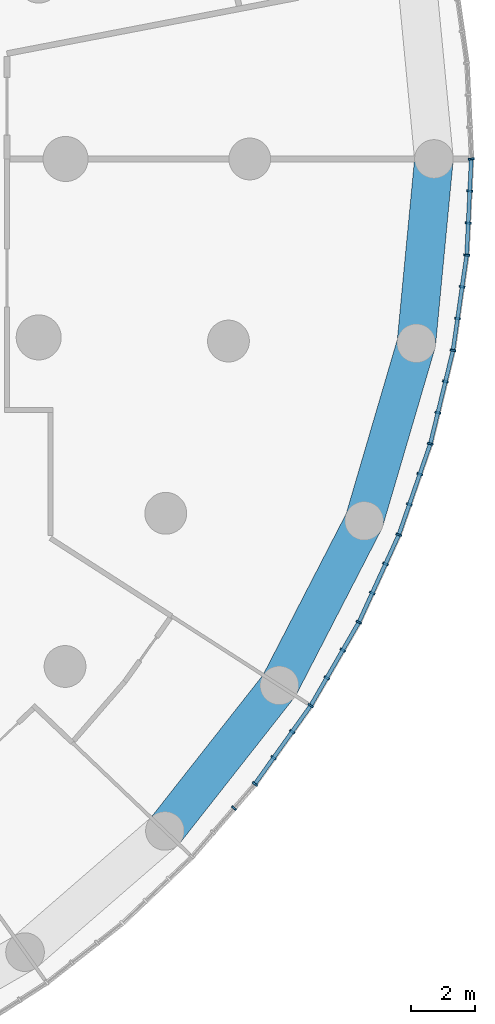
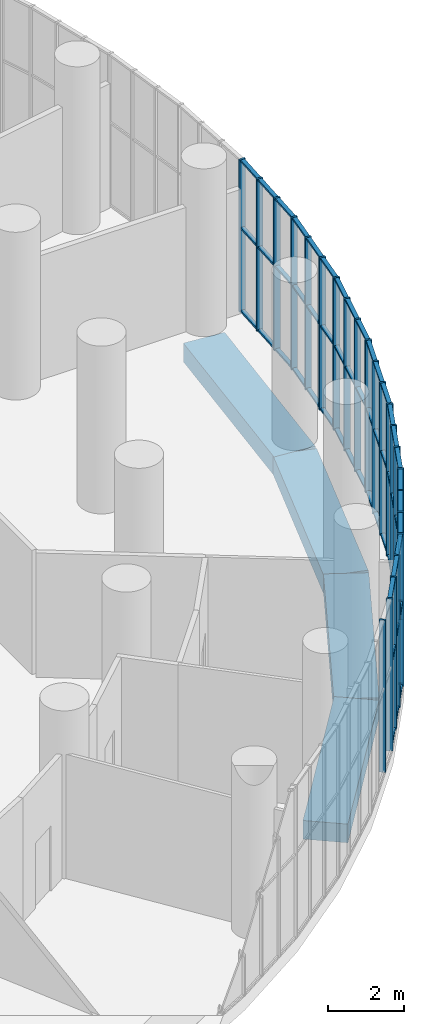
# One storey, part 6 of 27: 44 members, 4 beams, 9 elements without a shape of their own.
"""IFC4 building model written with IfcOpenShell, lengths in metres."""

from ifc_helpers import new_model, si_unit, direction, frame, origin, origin_2d, place, context, subcontext, project, spatial, rectangle, extrude, material, layer, layer_set, material_profile, profile_set, type_object, element, aggregate, save


model = new_model("IFC4")

# Units and contexts
model_context = context("Model", 3, precision=1e-05, world=origin(), true_north=direction((0.0, 1.0)))
body_context = subcontext(model_context, "Body", "Model", "MODEL_VIEW")
ifc_project = project(units=[si_unit("LENGTHUNIT", "METRE"), si_unit("AREAUNIT", "SQUARE_METRE"), si_unit("VOLUMEUNIT", "CUBIC_METRE"), si_unit("PLANEANGLEUNIT", "RADIAN"), si_unit("MASSUNIT", "GRAM", prefix="KILO")], contexts=[model_context])

# Site, building, storey
site_placement = place(None, origin())
site = spatial("IfcSite", under=ifc_project, at=site_placement, CompositionType="ELEMENT")
building_placement = place(site_placement, origin())
building = spatial("IfcBuilding", under=site, at=building_placement, Name="Tracery Tower", CompositionType="ELEMENT")
storey_placement = place(building_placement, frame((0.0, 0.0, 114.60009765625)))
storey = spatial("IfcBuildingStorey", under=building, at=storey_placement, Name="L29", CompositionType="ELEMENT", Elevation=114.60009765625)

# Beams
ifc_material_1 = material(Name="Concrete C60/75", Category="concrete")
ifc_material_profile_1 = material_profile(ifc_material_1, rectangle(XDim=1.199951171875, YDim=0.60009765625, at=origin_2d()), Name="RC 1200x600")
ifc_profile_set_1 = profile_set([ifc_material_profile_1], Name="Concrete C60/75")
beam_type = type_object("IfcBeamType", Name="Perimeter band beam 1200x600", PredefinedType="BEAM", material=ifc_profile_set_1)
beam_placement = place(storey_placement, frame((21.910888671875, -20.891845703125, -0.75), z_axis=(0.618134362257, 0.786072458618, 0.0), x_axis=(-0.786072458618, 0.618134362257, 0.0)))
element("IfcBeam", 1, at=beam_placement, inside=storey, type_object=beam_type, Name="Perimeter beam 0.29 under L29", PredefinedType="BEAM", context=body_context, shape_type="SweptSolid", body=[
    extrude(rectangle(XDim=1.199951171875, YDim=0.60009765625, at=origin_2d()), origin(), (0.0, 0.0, 1.0), 5.75537109375),
])
for number, where, z_axis, x_axis, name in (
    (2, (25.468505859375, -16.36767578125, -0.75), (0.458242010493, 0.88882746347, 0.0), (-0.88882746347, 0.458242010493, 0.0), "Perimeter beam 0.30 under L29"),
    (3, (28.10595703125, -11.251953125, -0.75), (0.281739145896, 0.959491038869, 0.0), (-0.959491038869, 0.281739145896, 0.0), "Perimeter beam 0.31 under L29"),
    (4, (29.7275390625, -5.7294921875, -0.75), (0.095059309677, 0.995471610667, 0.0), (-0.995471610667, 0.095059309677, 0.0), "Perimeter beam 0.32 under L29"),
):
    element("IfcBeam", number, at=place(storey_placement, frame(where, z_axis=z_axis, x_axis=x_axis)), inside=storey, type_object=beam_type, Name=name, PredefinedType="BEAM", context=body_context, shape_type="SweptSolid", body=[
        extrude(rectangle(XDim=1.199951171875, YDim=0.60009765625, at=origin_2d()), origin(), (0.0, 0.0, 1.0), 5.755615234375),
    ])

# Curtain wall, member
ifc_material_2 = material(Name="Aluminium curtain wall with tinted glass", Category="aluminium")
ifc_layer = layer(ifc_material_2, 0.179931640625)
ifc_layer_set = layer_set([ifc_layer], Name="Sky lounge 1 tracery curtain wall")
curtain_wall_type = type_object("IfcCurtainWallType", Name="Sky lounge 1 tracery curtain wall", PredefinedType="NOTDEFINED", material=ifc_layer_set)
curtain_wall_1_placement = place(storey_placement, origin())
curtain_wall_1 = element("IfcCurtainWall", 5, at=curtain_wall_1_placement, inside=storey, type_object=curtain_wall_type, Name="Sky lounge 1 curtain wall run 1", PredefinedType="NOTDEFINED")
ifc_material_3 = material(Name="Aluminium, bronze anodised", Category="aluminium")
ifc_material_profile_2 = material_profile(ifc_material_3, rectangle(XDim=0.179931640625, YDim=0.06005859375, at=origin_2d()), Name="AL 60x180")
ifc_profile_set_2 = profile_set([ifc_material_profile_2], Name="Aluminium, bronze anodised")
member_type_1 = type_object("IfcMemberType", Name="Sky lounge 1 mullion 60 x 180", PredefinedType="MULLION", material=ifc_profile_set_2)
member_1_placement = place(storey_placement, frame((31.4345703125, 0.0, 0.0), z_axis=(0.0, 0.0, 1.0), x_axis=(-0.998867339183, -0.047581915819, 0.0)))
member_1 = element("IfcMember", 6, at=member_1_placement, type_object=member_type_1, Name="Sky lounge 1 curtain wall run 1 mullion 1", PredefinedType="MULLION", context=body_context, shape_type="SweptSolid", body=[
    extrude(rectangle(XDim=0.179931640625, YDim=0.06005859375, at=origin_2d()), origin(), (0.0, 0.0, 1.0), 4.89990234375),
])
aggregate(curtain_wall_1, [member_1])

curtain_wall_2_placement = place(storey_placement, origin())
curtain_wall_2 = element("IfcCurtainWall", 7, at=curtain_wall_2_placement, inside=storey, type_object=curtain_wall_type, Name="Sky lounge 1 curtain wall run 59", PredefinedType="NOTDEFINED")
member_2_placement = place(storey_placement, frame((24.05615234375, -20.18505859375, 0.0), z_axis=(0.0, 0.0, 1.0), x_axis=(-0.755749574355, 0.654860733944, 0.0)))
member_2 = element("IfcMember", 8, at=member_2_placement, type_object=member_type_1, Name="Sky lounge 1 curtain wall run 59 mullion 3", PredefinedType="MULLION", context=body_context, shape_type="SweptSolid", body=[
    extrude(rectangle(XDim=0.179931640625, YDim=0.06005859375, at=origin_2d()), origin(), (0.0, 0.0, 1.0), 4.89990234375),
])
aggregate(curtain_wall_2, [member_2])

# Curtain wall, members
curtain_wall_3_placement = place(storey_placement, origin())
curtain_wall_3 = element("IfcCurtainWall", 9, at=curtain_wall_3_placement, inside=storey, type_object=curtain_wall_type, Name="Sky lounge 1 curtain wall run 60", PredefinedType="NOTDEFINED")
member_3_placement = place(storey_placement, frame((24.709228515625, -19.431396484375, 0.0), z_axis=(0.0, 0.0, 1.0), x_axis=(-0.814575952046, 0.580056909578, 0.0)))
member_3 = element("IfcMember", 10, at=member_3_placement, type_object=member_type_1, Name="Sky lounge 1 curtain wall run 60 mullion 1", PredefinedType="MULLION", context=body_context, shape_type="SweptSolid", body=[
    extrude(rectangle(XDim=0.179931640625, YDim=0.06005859375, at=origin_2d()), origin(), (0.0, 0.0, 1.0), 4.89990234375),
])
member_4_placement = place(storey_placement, frame((25.28759765625, -18.619384765625, 0.0), z_axis=(0.0, 0.0, 1.0), x_axis=(-0.814575952046, 0.580056909578, 0.0)))
member_4 = element("IfcMember", 11, at=member_4_placement, type_object=member_type_1, Name="Sky lounge 1 curtain wall run 60 mullion 2", PredefinedType="MULLION", context=body_context, shape_type="SweptSolid", body=[
    extrude(rectangle(XDim=0.179931640625, YDim=0.06005859375, at=origin_2d()), origin(), (0.0, 0.0, 1.0), 4.89990234375),
])
member_5_placement = place(storey_placement, frame((25.865966796875, -17.80712890625, 0.0), z_axis=(0.0, 0.0, 1.0), x_axis=(-0.814575952046, 0.580056909578, 0.0)))
member_5 = element("IfcMember", 12, at=member_5_placement, type_object=member_type_1, Name="Sky lounge 1 curtain wall run 60 mullion 3", PredefinedType="MULLION", context=body_context, shape_type="SweptSolid", body=[
    extrude(rectangle(XDim=0.179931640625, YDim=0.06005859375, at=origin_2d()), origin(), (0.0, 0.0, 1.0), 4.89990234375),
])

curtain_wall_4_placement = place(storey_placement, origin())
curtain_wall_4 = element("IfcCurtainWall", 13, at=curtain_wall_4_placement, inside=storey, type_object=curtain_wall_type, Name="Sky lounge 1 curtain wall run 61", PredefinedType="NOTDEFINED")
member_6_placement = place(storey_placement, frame((26.4443359375, -16.994873046875, 0.0), z_axis=(0.0, 0.0, 1.0), x_axis=(-0.866025403784, 0.5, 0.0)))
member_6 = element("IfcMember", 14, at=member_6_placement, type_object=member_type_1, Name="Sky lounge 1 curtain wall run 61 mullion 1", PredefinedType="MULLION", context=body_context, shape_type="SweptSolid", body=[
    extrude(rectangle(XDim=0.179931640625, YDim=0.06005859375, at=origin_2d()), origin(), (0.0, 0.0, 1.0), 4.89990234375),
])
member_7_placement = place(storey_placement, frame((26.94287109375, -16.131103515625, 0.0), z_axis=(0.0, 0.0, 1.0), x_axis=(-0.866025403784, 0.5, 0.0)))
member_7 = element("IfcMember", 15, at=member_7_placement, type_object=member_type_1, Name="Sky lounge 1 curtain wall run 61 mullion 2", PredefinedType="MULLION", context=body_context, shape_type="SweptSolid", body=[
    extrude(rectangle(XDim=0.179931640625, YDim=0.06005859375, at=origin_2d()), origin(), (0.0, 0.0, 1.0), 4.89990234375),
])
member_8_placement = place(storey_placement, frame((27.44140625, -15.267578125, 0.0), z_axis=(0.0, 0.0, 1.0), x_axis=(-0.866025403784, 0.5, 0.0)))
member_8 = element("IfcMember", 16, at=member_8_placement, type_object=member_type_1, Name="Sky lounge 1 curtain wall run 61 mullion 3", PredefinedType="MULLION", context=body_context, shape_type="SweptSolid", body=[
    extrude(rectangle(XDim=0.179931640625, YDim=0.06005859375, at=origin_2d()), origin(), (0.0, 0.0, 1.0), 4.89990234375),
])

curtain_wall_5_placement = place(storey_placement, origin())
curtain_wall_5 = element("IfcCurtainWall", 17, at=curtain_wall_5_placement, inside=storey, type_object=curtain_wall_type, Name="Sky lounge 1 curtain wall run 62", PredefinedType="NOTDEFINED")
member_9_placement = place(storey_placement, frame((27.940185546875, -14.404052734375, 0.0), z_axis=(0.0, 0.0, 1.0), x_axis=(-0.909631995358, 0.415415012995, 0.0)))
member_9 = element("IfcMember", 18, at=member_9_placement, type_object=member_type_1, Name="Sky lounge 1 curtain wall run 62 mullion 1", PredefinedType="MULLION", context=body_context, shape_type="SweptSolid", body=[
    extrude(rectangle(XDim=0.179931640625, YDim=0.06005859375, at=origin_2d()), origin(), (0.0, 0.0, 1.0), 4.89990234375),
])
member_10_placement = place(storey_placement, frame((28.354248046875, -13.4970703125, 0.0), z_axis=(0.0, 0.0, 1.0), x_axis=(-0.909631995358, 0.415415012995, 0.0)))
member_10 = element("IfcMember", 19, at=member_10_placement, type_object=member_type_1, Name="Sky lounge 1 curtain wall run 62 mullion 2", PredefinedType="MULLION", context=body_context, shape_type="SweptSolid", body=[
    extrude(rectangle(XDim=0.179931640625, YDim=0.06005859375, at=origin_2d()), origin(), (0.0, 0.0, 1.0), 4.89990234375),
])
member_11_placement = place(storey_placement, frame((28.7685546875, -12.590087890625, 0.0), z_axis=(0.0, 0.0, 1.0), x_axis=(-0.909631995358, 0.415415012995, 0.0)))
member_11 = element("IfcMember", 20, at=member_11_placement, type_object=member_type_1, Name="Sky lounge 1 curtain wall run 62 mullion 3", PredefinedType="MULLION", context=body_context, shape_type="SweptSolid", body=[
    extrude(rectangle(XDim=0.179931640625, YDim=0.06005859375, at=origin_2d()), origin(), (0.0, 0.0, 1.0), 4.89990234375),
])

curtain_wall_6_placement = place(storey_placement, origin())
curtain_wall_6 = element("IfcCurtainWall", 21, at=curtain_wall_6_placement, inside=storey, type_object=curtain_wall_type, Name="Sky lounge 1 curtain wall run 63", PredefinedType="NOTDEFINED")
member_12_placement = place(storey_placement, frame((29.182861328125, -11.68310546875, 0.0), z_axis=(0.0, 0.0, 1.0), x_axis=(-0.945000818714, 0.327067963319, 0.0)))
member_12 = element("IfcMember", 22, at=member_12_placement, type_object=member_type_1, Name="Sky lounge 1 curtain wall run 63 mullion 1", PredefinedType="MULLION", context=body_context, shape_type="SweptSolid", body=[
    extrude(rectangle(XDim=0.179931640625, YDim=0.06005859375, at=origin_2d()), origin(), (0.0, 0.0, 1.0), 4.89990234375),
])
member_13_placement = place(storey_placement, frame((29.509033203125, -10.74072265625, 0.0), z_axis=(0.0, 0.0, 1.0), x_axis=(-0.945000818714, 0.327067963319, 0.0)))
member_13 = element("IfcMember", 23, at=member_13_placement, type_object=member_type_1, Name="Sky lounge 1 curtain wall run 63 mullion 2", PredefinedType="MULLION", context=body_context, shape_type="SweptSolid", body=[
    extrude(rectangle(XDim=0.179931640625, YDim=0.06005859375, at=origin_2d()), origin(), (0.0, 0.0, 1.0), 4.89990234375),
])
member_14_placement = place(storey_placement, frame((29.8349609375, -9.79833984375, 0.0), z_axis=(0.0, 0.0, 1.0), x_axis=(-0.945000818714, 0.327067963319, 0.0)))
member_14 = element("IfcMember", 24, at=member_14_placement, type_object=member_type_1, Name="Sky lounge 1 curtain wall run 63 mullion 3", PredefinedType="MULLION", context=body_context, shape_type="SweptSolid", body=[
    extrude(rectangle(XDim=0.179931640625, YDim=0.06005859375, at=origin_2d()), origin(), (0.0, 0.0, 1.0), 4.89990234375),
])

curtain_wall_7_placement = place(storey_placement, origin())
curtain_wall_7 = element("IfcCurtainWall", 25, at=curtain_wall_7_placement, inside=storey, type_object=curtain_wall_type, Name="Sky lounge 1 curtain wall run 64", PredefinedType="NOTDEFINED")
member_15_placement = place(storey_placement, frame((30.1611328125, -8.856201171875, 0.0), z_axis=(0.0, 0.0, 1.0), x_axis=(-0.971811568325, 0.235758935503, 0.0)))
member_15 = element("IfcMember", 26, at=member_15_placement, type_object=member_type_1, Name="Sky lounge 1 curtain wall run 64 mullion 1", PredefinedType="MULLION", context=body_context, shape_type="SweptSolid", body=[
    extrude(rectangle(XDim=0.179931640625, YDim=0.06005859375, at=origin_2d()), origin(), (0.0, 0.0, 1.0), 4.89990234375),
])
member_16_placement = place(storey_placement, frame((30.396240234375, -7.88720703125, 0.0), z_axis=(0.0, 0.0, 1.0), x_axis=(-0.971811568325, 0.235758935503, 0.0)))
member_16 = element("IfcMember", 27, at=member_16_placement, type_object=member_type_1, Name="Sky lounge 1 curtain wall run 64 mullion 2", PredefinedType="MULLION", context=body_context, shape_type="SweptSolid", body=[
    extrude(rectangle(XDim=0.179931640625, YDim=0.06005859375, at=origin_2d()), origin(), (0.0, 0.0, 1.0), 4.89990234375),
])
member_17_placement = place(storey_placement, frame((30.63134765625, -6.91796875, 0.0), z_axis=(0.0, 0.0, 1.0), x_axis=(-0.971811568325, 0.235758935503, 0.0)))
member_17 = element("IfcMember", 28, at=member_17_placement, type_object=member_type_1, Name="Sky lounge 1 curtain wall run 64 mullion 3", PredefinedType="MULLION", context=body_context, shape_type="SweptSolid", body=[
    extrude(rectangle(XDim=0.179931640625, YDim=0.06005859375, at=origin_2d()), origin(), (0.0, 0.0, 1.0), 4.89990234375),
])

curtain_wall_8_placement = place(storey_placement, origin())
curtain_wall_8 = element("IfcCurtainWall", 29, at=curtain_wall_8_placement, inside=storey, type_object=curtain_wall_type, Name="Sky lounge 1 curtain wall run 65", PredefinedType="NOTDEFINED")
member_18_placement = place(storey_placement, frame((30.866455078125, -5.948974609375, 0.0), z_axis=(0.0, 0.0, 1.0), x_axis=(-0.98982144188, 0.142314838276, 0.0)))
member_18 = element("IfcMember", 30, at=member_18_placement, type_object=member_type_1, Name="Sky lounge 1 curtain wall run 65 mullion 1", PredefinedType="MULLION", context=body_context, shape_type="SweptSolid", body=[
    extrude(rectangle(XDim=0.179931640625, YDim=0.06005859375, at=origin_2d()), origin(), (0.0, 0.0, 1.0), 4.89990234375),
])
member_19_placement = place(storey_placement, frame((31.00830078125, -4.9619140625, 0.0), z_axis=(0.0, 0.0, 1.0), x_axis=(-0.98982144188, 0.142314838276, 0.0)))
member_19 = element("IfcMember", 31, at=member_19_placement, type_object=member_type_1, Name="Sky lounge 1 curtain wall run 65 mullion 2", PredefinedType="MULLION", context=body_context, shape_type="SweptSolid", body=[
    extrude(rectangle(XDim=0.179931640625, YDim=0.06005859375, at=origin_2d()), origin(), (0.0, 0.0, 1.0), 4.89990234375),
])
member_20_placement = place(storey_placement, frame((31.150146484375, -3.97509765625, 0.0), z_axis=(0.0, 0.0, 1.0), x_axis=(-0.98982144188, 0.142314838276, 0.0)))
member_20 = element("IfcMember", 32, at=member_20_placement, type_object=member_type_1, Name="Sky lounge 1 curtain wall run 65 mullion 3", PredefinedType="MULLION", context=body_context, shape_type="SweptSolid", body=[
    extrude(rectangle(XDim=0.179931640625, YDim=0.06005859375, at=origin_2d()), origin(), (0.0, 0.0, 1.0), 4.89990234375),
])

curtain_wall_9_placement = place(storey_placement, origin())
curtain_wall_9 = element("IfcCurtainWall", 33, at=curtain_wall_9_placement, inside=storey, type_object=curtain_wall_type, Name="Sky lounge 1 curtain wall run 66", PredefinedType="NOTDEFINED")
member_21_placement = place(storey_placement, frame((31.292236328125, -2.988037109375, 0.0), z_axis=(0.0, 0.0, 1.0), x_axis=(-0.998867339183, 0.047581915819, 0.0)))
member_21 = element("IfcMember", 34, at=member_21_placement, type_object=member_type_1, Name="Sky lounge 1 curtain wall run 66 mullion 1", PredefinedType="MULLION", context=body_context, shape_type="SweptSolid", body=[
    extrude(rectangle(XDim=0.179931640625, YDim=0.06005859375, at=origin_2d()), origin(), (0.0, 0.0, 1.0), 4.89990234375),
])
member_22_placement = place(storey_placement, frame((31.339599609375, -1.991943359375, 0.0), z_axis=(0.0, 0.0, 1.0), x_axis=(-0.998867339183, 0.047581915819, 0.0)))
member_22 = element("IfcMember", 35, at=member_22_placement, type_object=member_type_1, Name="Sky lounge 1 curtain wall run 66 mullion 2", PredefinedType="MULLION", context=body_context, shape_type="SweptSolid", body=[
    extrude(rectangle(XDim=0.179931640625, YDim=0.06005859375, at=origin_2d()), origin(), (0.0, 0.0, 1.0), 4.89990234375),
])
member_23_placement = place(storey_placement, frame((31.386962890625, -0.99609375, 0.0), z_axis=(0.0, 0.0, 1.0), x_axis=(-0.998867339183, 0.047581915819, 0.0)))
member_23 = element("IfcMember", 36, at=member_23_placement, type_object=member_type_1, Name="Sky lounge 1 curtain wall run 66 mullion 3", PredefinedType="MULLION", context=body_context, shape_type="SweptSolid", body=[
    extrude(rectangle(XDim=0.179931640625, YDim=0.06005859375, at=origin_2d()), origin(), (0.0, 0.0, 1.0), 4.89990234375),
])

# Member
ifc_material_4 = material(Name="Aluminium, bronze anodised", Category="aluminium")
ifc_material_profile_3 = material_profile(ifc_material_4, rectangle(XDim=0.1201171875, YDim=0.06005859375, at=origin_2d()), Name="AL 60x120")
ifc_profile_set_3 = profile_set([ifc_material_profile_3], Name="Aluminium, bronze anodised")
member_type_2 = type_object("IfcMemberType", Name="Sky lounge 1 transom 60 x 120", PredefinedType="USERDEFINED", material=ifc_profile_set_3)
member_24_placement = place(storey_placement, frame((24.7265625, -19.406982421875, 0.02978515625), z_axis=(0.58009523592, 0.814548658622, 0.0), x_axis=(-0.814548658622, 0.58009523592, 0.0)))
member_24 = element("IfcMember", 37, at=member_24_placement, type_object=member_type_2, Name="Sky lounge 1 curtain wall run 60 transom 1", ObjectType="TRANSOM", PredefinedType="USERDEFINED", context=body_context, shape_type="SweptSolid", body=[
    extrude(rectangle(XDim=0.1201171875, YDim=0.06005859375, at=origin_2d()), origin(), (0.0, 0.0, 1.0), 2.931396484375),
])

member_25_placement = place(storey_placement, frame((24.7265625, -19.406982421875, 2.699951171875), z_axis=(0.58009523592, 0.814548658622, 0.0), x_axis=(-0.814548658622, 0.58009523592, 0.0)))
member_25 = element("IfcMember", 38, at=member_25_placement, type_object=member_type_2, Name="Sky lounge 1 curtain wall run 60 transom 2", ObjectType="TRANSOM", PredefinedType="USERDEFINED", context=body_context, shape_type="SweptSolid", body=[
    extrude(rectangle(XDim=0.1201171875, YDim=0.06005859375, at=origin_2d()), origin(), (0.0, 0.0, 1.0), 2.931396484375),
])

member_26_placement = place(storey_placement, frame((24.7265625, -19.406982421875, 4.869873046875), z_axis=(0.58009523592, 0.814548658622, 0.0), x_axis=(-0.814548658622, 0.58009523592, 0.0)))
member_26 = element("IfcMember", 39, at=member_26_placement, type_object=member_type_2, Name="Sky lounge 1 curtain wall run 60 transom 3", ObjectType="TRANSOM", PredefinedType="USERDEFINED", context=body_context, shape_type="SweptSolid", body=[
    extrude(rectangle(XDim=0.1201171875, YDim=0.06005859375, at=origin_2d()), origin(), (0.0, 0.0, 1.0), 2.931396484375),
])

aggregate(curtain_wall_3, [member_3, member_4, member_5, member_24, member_25, member_26])

member_27_placement = place(storey_placement, frame((26.45947265625, -16.96875, 0.02978515625), z_axis=(0.499982003349, 0.866035793907, 0.0), x_axis=(-0.866035793907, 0.499982003349, 0.0)))
member_27 = element("IfcMember", 40, at=member_27_placement, type_object=member_type_2, Name="Sky lounge 1 curtain wall run 61 transom 1", ObjectType="TRANSOM", PredefinedType="USERDEFINED", context=body_context, shape_type="SweptSolid", body=[
    extrude(rectangle(XDim=0.1201171875, YDim=0.06005859375, at=origin_2d()), origin(), (0.0, 0.0, 1.0), 2.93115234375),
])

member_28_placement = place(storey_placement, frame((26.45947265625, -16.96875, 2.699951171875), z_axis=(0.499982003349, 0.866035793907, 0.0), x_axis=(-0.866035793907, 0.499982003349, 0.0)))
member_28 = element("IfcMember", 41, at=member_28_placement, type_object=member_type_2, Name="Sky lounge 1 curtain wall run 61 transom 2", ObjectType="TRANSOM", PredefinedType="USERDEFINED", context=body_context, shape_type="SweptSolid", body=[
    extrude(rectangle(XDim=0.1201171875, YDim=0.06005859375, at=origin_2d()), origin(), (0.0, 0.0, 1.0), 2.93115234375),
])

member_29_placement = place(storey_placement, frame((26.45947265625, -16.96875, 4.869873046875), z_axis=(0.499982003349, 0.866035793907, 0.0), x_axis=(-0.866035793907, 0.499982003349, 0.0)))
member_29 = element("IfcMember", 42, at=member_29_placement, type_object=member_type_2, Name="Sky lounge 1 curtain wall run 61 transom 3", ObjectType="TRANSOM", PredefinedType="USERDEFINED", context=body_context, shape_type="SweptSolid", body=[
    extrude(rectangle(XDim=0.1201171875, YDim=0.06005859375, at=origin_2d()), origin(), (0.0, 0.0, 1.0), 2.93115234375),
])

aggregate(curtain_wall_4, [member_6, member_7, member_8, member_27, member_28, member_29])

member_30_placement = place(storey_placement, frame((27.95263671875, -14.376953125, 0.02978515625), z_axis=(0.41538972721, 0.909643542564, 0.0), x_axis=(-0.909643542564, 0.41538972721, 0.0)))
member_30 = element("IfcMember", 43, at=member_30_placement, type_object=member_type_2, Name="Sky lounge 1 curtain wall run 62 transom 1", ObjectType="TRANSOM", PredefinedType="USERDEFINED", context=body_context, shape_type="SweptSolid", body=[
    extrude(rectangle(XDim=0.1201171875, YDim=0.06005859375, at=origin_2d()), origin(), (0.0, 0.0, 1.0), 2.931640625),
])

member_31_placement = place(storey_placement, frame((27.95263671875, -14.376953125, 2.699951171875), z_axis=(0.41538972721, 0.909643542564, 0.0), x_axis=(-0.909643542564, 0.41538972721, 0.0)))
member_31 = element("IfcMember", 44, at=member_31_placement, type_object=member_type_2, Name="Sky lounge 1 curtain wall run 62 transom 2", ObjectType="TRANSOM", PredefinedType="USERDEFINED", context=body_context, shape_type="SweptSolid", body=[
    extrude(rectangle(XDim=0.1201171875, YDim=0.06005859375, at=origin_2d()), origin(), (0.0, 0.0, 1.0), 2.931640625),
])

member_32_placement = place(storey_placement, frame((27.95263671875, -14.376953125, 4.869873046875), z_axis=(0.41538972721, 0.909643542564, 0.0), x_axis=(-0.909643542564, 0.41538972721, 0.0)))
member_32 = element("IfcMember", 45, at=member_32_placement, type_object=member_type_2, Name="Sky lounge 1 curtain wall run 62 transom 3", ObjectType="TRANSOM", PredefinedType="USERDEFINED", context=body_context, shape_type="SweptSolid", body=[
    extrude(rectangle(XDim=0.1201171875, YDim=0.06005859375, at=origin_2d()), origin(), (0.0, 0.0, 1.0), 2.931640625),
])

aggregate(curtain_wall_5, [member_9, member_10, member_11, member_30, member_31, member_32])

member_33_placement = place(storey_placement, frame((29.192626953125, -11.65478515625, 0.02978515625), z_axis=(0.327050494185, 0.945006864659, 0.0), x_axis=(-0.945006864659, 0.327050494185, 0.0)))
member_33 = element("IfcMember", 46, at=member_33_placement, type_object=member_type_2, Name="Sky lounge 1 curtain wall run 63 transom 1", ObjectType="TRANSOM", PredefinedType="USERDEFINED", context=body_context, shape_type="SweptSolid", body=[
    extrude(rectangle(XDim=0.1201171875, YDim=0.06005859375, at=origin_2d()), origin(), (0.0, 0.0, 1.0), 2.931396484375),
])

member_34_placement = place(storey_placement, frame((29.192626953125, -11.65478515625, 2.699951171875), z_axis=(0.327050494185, 0.945006864659, 0.0), x_axis=(-0.945006864659, 0.327050494185, 0.0)))
member_34 = element("IfcMember", 47, at=member_34_placement, type_object=member_type_2, Name="Sky lounge 1 curtain wall run 63 transom 2", ObjectType="TRANSOM", PredefinedType="USERDEFINED", context=body_context, shape_type="SweptSolid", body=[
    extrude(rectangle(XDim=0.1201171875, YDim=0.06005859375, at=origin_2d()), origin(), (0.0, 0.0, 1.0), 2.931396484375),
])

member_35_placement = place(storey_placement, frame((29.192626953125, -11.65478515625, 4.869873046875), z_axis=(0.327050494185, 0.945006864659, 0.0), x_axis=(-0.945006864659, 0.327050494185, 0.0)))
member_35 = element("IfcMember", 48, at=member_35_placement, type_object=member_type_2, Name="Sky lounge 1 curtain wall run 63 transom 3", ObjectType="TRANSOM", PredefinedType="USERDEFINED", context=body_context, shape_type="SweptSolid", body=[
    extrude(rectangle(XDim=0.1201171875, YDim=0.06005859375, at=origin_2d()), origin(), (0.0, 0.0, 1.0), 2.931396484375),
])

aggregate(curtain_wall_6, [member_12, member_13, member_14, member_33, member_34, member_35])

member_36_placement = place(storey_placement, frame((30.168212890625, -8.826904296875, 0.02978515625), z_axis=(0.235788340216, 0.971804434348, 0.0), x_axis=(-0.971804434348, 0.235788340216, 0.0)))
member_36 = element("IfcMember", 49, at=member_36_placement, type_object=member_type_2, Name="Sky lounge 1 curtain wall run 64 transom 1", ObjectType="TRANSOM", PredefinedType="USERDEFINED", context=body_context, shape_type="SweptSolid", body=[
    extrude(rectangle(XDim=0.1201171875, YDim=0.06005859375, at=origin_2d()), origin(), (0.0, 0.0, 1.0), 2.931396484375),
])

member_37_placement = place(storey_placement, frame((30.168212890625, -8.826904296875, 2.699951171875), z_axis=(0.235788340216, 0.971804434348, 0.0), x_axis=(-0.971804434348, 0.235788340216, 0.0)))
member_37 = element("IfcMember", 50, at=member_37_placement, type_object=member_type_2, Name="Sky lounge 1 curtain wall run 64 transom 2", ObjectType="TRANSOM", PredefinedType="USERDEFINED", context=body_context, shape_type="SweptSolid", body=[
    extrude(rectangle(XDim=0.1201171875, YDim=0.06005859375, at=origin_2d()), origin(), (0.0, 0.0, 1.0), 2.931396484375),
])

member_38_placement = place(storey_placement, frame((30.168212890625, -8.826904296875, 4.869873046875), z_axis=(0.235788340216, 0.971804434348, 0.0), x_axis=(-0.971804434348, 0.235788340216, 0.0)))
member_38 = element("IfcMember", 51, at=member_38_placement, type_object=member_type_2, Name="Sky lounge 1 curtain wall run 64 transom 3", ObjectType="TRANSOM", PredefinedType="USERDEFINED", context=body_context, shape_type="SweptSolid", body=[
    extrude(rectangle(XDim=0.1201171875, YDim=0.06005859375, at=origin_2d()), origin(), (0.0, 0.0, 1.0), 2.931396484375),
])

aggregate(curtain_wall_7, [member_15, member_16, member_17, member_36, member_37, member_38])

member_39_placement = place(storey_placement, frame((30.87060546875, -5.91943359375, 0.02978515625), z_axis=(0.142330747561, 0.98981915434, 0.0), x_axis=(-0.98981915434, 0.142330747561, 0.0)))
member_39 = element("IfcMember", 52, at=member_39_placement, type_object=member_type_2, Name="Sky lounge 1 curtain wall run 65 transom 1", ObjectType="TRANSOM", PredefinedType="USERDEFINED", context=body_context, shape_type="SweptSolid", body=[
    extrude(rectangle(XDim=0.1201171875, YDim=0.06005859375, at=origin_2d()), origin(), (0.0, 0.0, 1.0), 2.931396484375),
])

member_40_placement = place(storey_placement, frame((30.87060546875, -5.91943359375, 2.699951171875), z_axis=(0.142330747561, 0.98981915434, 0.0), x_axis=(-0.98981915434, 0.142330747561, 0.0)))
member_40 = element("IfcMember", 53, at=member_40_placement, type_object=member_type_2, Name="Sky lounge 1 curtain wall run 65 transom 2", ObjectType="TRANSOM", PredefinedType="USERDEFINED", context=body_context, shape_type="SweptSolid", body=[
    extrude(rectangle(XDim=0.1201171875, YDim=0.06005859375, at=origin_2d()), origin(), (0.0, 0.0, 1.0), 2.931396484375),
])

member_41_placement = place(storey_placement, frame((30.87060546875, -5.91943359375, 4.869873046875), z_axis=(0.142330747561, 0.98981915434, 0.0), x_axis=(-0.98981915434, 0.142330747561, 0.0)))
member_41 = element("IfcMember", 54, at=member_41_placement, type_object=member_type_2, Name="Sky lounge 1 curtain wall run 65 transom 3", ObjectType="TRANSOM", PredefinedType="USERDEFINED", context=body_context, shape_type="SweptSolid", body=[
    extrude(rectangle(XDim=0.1201171875, YDim=0.06005859375, at=origin_2d()), origin(), (0.0, 0.0, 1.0), 2.931396484375),
])

aggregate(curtain_wall_8, [member_18, member_19, member_20, member_39, member_40, member_41])

member_42_placement = place(storey_placement, frame((31.293701171875, -2.9580078125, 0.02978515625), z_axis=(0.047557235205, 0.99886851456, 0.0), x_axis=(-0.99886851456, 0.047557235205, 0.0)))
member_42 = element("IfcMember", 55, at=member_42_placement, type_object=member_type_2, Name="Sky lounge 1 curtain wall run 66 transom 1", ObjectType="TRANSOM", PredefinedType="USERDEFINED", context=body_context, shape_type="SweptSolid", body=[
    extrude(rectangle(XDim=0.1201171875, YDim=0.06005859375, at=origin_2d()), origin(), (0.0, 0.0, 1.0), 2.931396484375),
])

member_43_placement = place(storey_placement, frame((31.293701171875, -2.9580078125, 2.699951171875), z_axis=(0.047557235205, 0.99886851456, 0.0), x_axis=(-0.99886851456, 0.047557235205, 0.0)))
member_43 = element("IfcMember", 56, at=member_43_placement, type_object=member_type_2, Name="Sky lounge 1 curtain wall run 66 transom 2", ObjectType="TRANSOM", PredefinedType="USERDEFINED", context=body_context, shape_type="SweptSolid", body=[
    extrude(rectangle(XDim=0.1201171875, YDim=0.06005859375, at=origin_2d()), origin(), (0.0, 0.0, 1.0), 2.931396484375),
])

member_44_placement = place(storey_placement, frame((31.293701171875, -2.9580078125, 4.869873046875), z_axis=(0.047557235205, 0.99886851456, 0.0), x_axis=(-0.99886851456, 0.047557235205, 0.0)))
member_44 = element("IfcMember", 57, at=member_44_placement, type_object=member_type_2, Name="Sky lounge 1 curtain wall run 66 transom 3", ObjectType="TRANSOM", PredefinedType="USERDEFINED", context=body_context, shape_type="SweptSolid", body=[
    extrude(rectangle(XDim=0.1201171875, YDim=0.06005859375, at=origin_2d()), origin(), (0.0, 0.0, 1.0), 2.931396484375),
])

aggregate(curtain_wall_9, [member_21, member_22, member_23, member_42, member_43, member_44])

save(model, "model.ifc")
